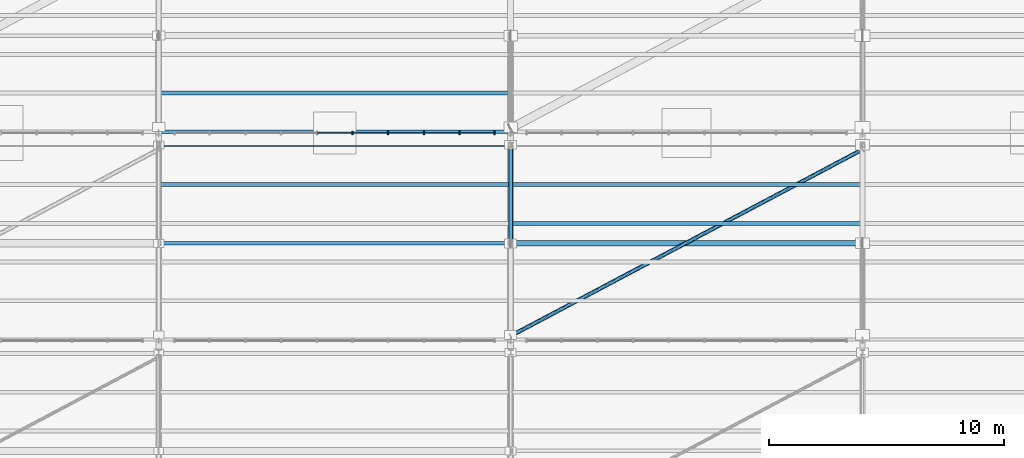
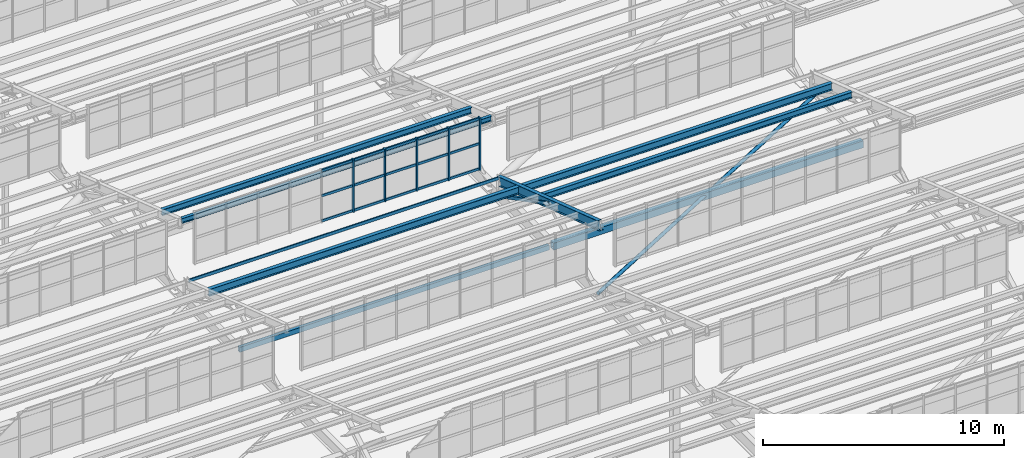
# One storey, part 102 of 285: 24 members, 7 beams, 1 element without a shape of its own.
"""IFC4 building model written with IfcOpenShell, lengths in metres."""

from ifc_helpers import new_model, si_unit, direction, frame, origin, origin_2d, place, context, subcontext, project, spatial, rectangle, hollow_rectangle, hollow_circle, i_section, extrude, material, material_profile, profile_set, type_object, element, aggregate, save


model = new_model("IFC4")

# Units and contexts
model_context = context("Model", 3, precision=1e-05, world=origin(), true_north=direction((0.0, 1.0)))
body_context = subcontext(model_context, "Body", "Model", "MODEL_VIEW")
ifc_project = project(units=[si_unit("LENGTHUNIT", "METRE"), si_unit("AREAUNIT", "SQUARE_METRE"), si_unit("VOLUMEUNIT", "CUBIC_METRE"), si_unit("PLANEANGLEUNIT", "RADIAN"), si_unit("MASSUNIT", "GRAM", prefix="KILO")], contexts=[model_context])

# Site, building, storey
site_placement = place(None, origin())
site = spatial("IfcSite", under=ifc_project, at=site_placement, CompositionType="ELEMENT")
building_placement = place(site_placement, origin())
building = spatial("IfcBuilding", under=site, at=building_placement, Name="Solanera Park Tramway Depot", CompositionType="ELEMENT")
storey_placement = place(building_placement, origin())
storey = spatial("IfcBuildingStorey", under=building, at=storey_placement, Name="L00", CompositionType="ELEMENT", Elevation=0.0)

# Curtain wall, members
ifc_material_1 = material(Name="Bronze-anodised thermally broken aluminium curtain wall", Category="aluminium")
curtain_wall_type = type_object("IfcCurtainWallType", Name="Sawtooth Clerestory Monitor Curtain Wall", PredefinedType="NOTDEFINED", material=ifc_material_1)
curtain_wall_placement = place(storey_placement, origin())
curtain_wall = element("IfcCurtainWall", 1, at=curtain_wall_placement, inside=storey, type_object=curtain_wall_type, Name="L00 Sawtooth Clerestory Monitor Curtain Wall #042", PredefinedType="NOTDEFINED")
ifc_material_2 = material(Name="Bronze-anodised structural aluminium 6063-T6", Category="aluminium")
ifc_material_profile_1 = material_profile(ifc_material_2, rectangle(XDim=0.06494140625, YDim=0.14990234375, at=origin_2d()), Name="Curtain Wall Mullion 65x150")
ifc_profile_set_1 = profile_set([ifc_material_profile_1], Name="Bronze-anodised structural aluminium 6063-T6")
member_type_1 = type_object("IfcMemberType", Name="Curtain Wall Mullion 65x150", PredefinedType="MULLION", material=ifc_profile_set_1)
member_1_placement = place(storey_placement, frame((113.260986328125, 100.0, 7.75), z_axis=(0.0, 0.0, 1.0), x_axis=(1.0, 0.0, 0.0)))
member_1 = element("IfcMember", 2, at=member_1_placement, type_object=member_type_1, Name="CW-L00-042 Mullion 6", PredefinedType="MULLION", context=body_context, shape_type="SweptSolid", body=[
    extrude(rectangle(XDim=0.06494140625, YDim=0.14990234375, at=origin_2d()), origin(), (0.0, 0.0, 1.0), 2.6611328125),
])
member_2_placement = place(storey_placement, frame((114.783203125, 100.0, 7.75), z_axis=(0.0, 0.0, 1.0), x_axis=(1.0, 0.0, 0.0)))
member_2 = element("IfcMember", 3, at=member_2_placement, type_object=member_type_1, Name="CW-L00-042 Mullion 7", PredefinedType="MULLION", context=body_context, shape_type="SweptSolid", body=[
    extrude(rectangle(XDim=0.06494140625, YDim=0.14990234375, at=origin_2d()), origin(), (0.0, 0.0, 1.0), 2.6611328125),
])
member_3_placement = place(storey_placement, frame((116.3056640625, 100.0, 7.75), z_axis=(0.0, 0.0, 1.0), x_axis=(1.0, 0.0, 0.0)))
member_3 = element("IfcMember", 4, at=member_3_placement, type_object=member_type_1, Name="CW-L00-042 Mullion 8", PredefinedType="MULLION", context=body_context, shape_type="SweptSolid", body=[
    extrude(rectangle(XDim=0.06494140625, YDim=0.14990234375, at=origin_2d()), origin(), (0.0, 0.0, 1.0), 2.6611328125),
])
member_4_placement = place(storey_placement, frame((117.827880859375, 100.0, 7.75), z_axis=(0.0, 0.0, 1.0), x_axis=(1.0, 0.0, 0.0)))
member_4 = element("IfcMember", 5, at=member_4_placement, type_object=member_type_1, Name="CW-L00-042 Mullion 9", PredefinedType="MULLION", context=body_context, shape_type="SweptSolid", body=[
    extrude(rectangle(XDim=0.06494140625, YDim=0.14990234375, at=origin_2d()), origin(), (0.0, 0.0, 1.0), 2.6611328125),
])
member_5_placement = place(storey_placement, frame((119.3173828125, 100.0, 7.75), z_axis=(0.0, 0.0, 1.0), x_axis=(1.0, 0.0, 0.0)))
member_5 = element("IfcMember", 6, at=member_5_placement, type_object=member_type_1, Name="CW-L00-042 Mullion 10", PredefinedType="MULLION", context=body_context, shape_type="SweptSolid", body=[
    extrude(rectangle(XDim=0.06494140625, YDim=0.14990234375, at=origin_2d()), origin(), (0.0, 0.0, 1.0), 2.6611328125),
])
ifc_material_3 = material(Name="Bronze-anodised structural aluminium 6063-T6", Category="aluminium")
ifc_material_profile_2 = material_profile(ifc_material_3, rectangle(XDim=0.06494140625, YDim=0.1201171875, at=origin_2d()), Name="Curtain Wall Transom 65x120")
ifc_profile_set_2 = profile_set([ifc_material_profile_2], Name="Bronze-anodised structural aluminium 6063-T6")
member_type_2 = type_object("IfcMemberType", Name="Curtain Wall Transom 65x120", PredefinedType="USERDEFINED", material=ifc_profile_set_2)
member_6_placement = place(storey_placement, frame((111.766845703125, 100.0, 7.81005859375), z_axis=(1.0, 0.0, 0.0), x_axis=(0.0, 1.0, 0.0)))
member_6 = element("IfcMember", 7, at=member_6_placement, type_object=member_type_2, Name="CW-L00-042 Transom R1.C5", ObjectType="TRANSOM", PredefinedType="USERDEFINED", context=body_context, shape_type="SweptSolid", body=[
    extrude(rectangle(XDim=0.06494140625, YDim=0.1201171875, at=origin_2d()), origin(), (0.0, 0.0, 1.0), 1.46630859375),
])
member_7_placement = place(storey_placement, frame((113.2890625, 100.0, 7.81005859375), z_axis=(1.0, 0.0, 0.0), x_axis=(0.0, 1.0, 0.0)))
member_7 = element("IfcMember", 8, at=member_7_placement, type_object=member_type_2, Name="CW-L00-042 Transom R1.C6", ObjectType="TRANSOM", PredefinedType="USERDEFINED", context=body_context, shape_type="SweptSolid", body=[
    extrude(rectangle(XDim=0.06494140625, YDim=0.1201171875, at=origin_2d()), origin(), (0.0, 0.0, 1.0), 1.46630859375),
])
member_8_placement = place(storey_placement, frame((114.811279296875, 100.0, 7.81005859375), z_axis=(1.0, 0.0, 0.0), x_axis=(0.0, 1.0, 0.0)))
member_8 = element("IfcMember", 9, at=member_8_placement, type_object=member_type_2, Name="CW-L00-042 Transom R1.C7", ObjectType="TRANSOM", PredefinedType="USERDEFINED", context=body_context, shape_type="SweptSolid", body=[
    extrude(rectangle(XDim=0.06494140625, YDim=0.1201171875, at=origin_2d()), origin(), (0.0, 0.0, 1.0), 1.46630859375),
])
member_9_placement = place(storey_placement, frame((116.33349609375, 100.0, 7.81005859375), z_axis=(1.0, 0.0, 0.0), x_axis=(0.0, 1.0, 0.0)))
member_9 = element("IfcMember", 10, at=member_9_placement, type_object=member_type_2, Name="CW-L00-042 Transom R1.C8", ObjectType="TRANSOM", PredefinedType="USERDEFINED", context=body_context, shape_type="SweptSolid", body=[
    extrude(rectangle(XDim=0.06494140625, YDim=0.1201171875, at=origin_2d()), origin(), (0.0, 0.0, 1.0), 1.46630859375),
])
member_10_placement = place(storey_placement, frame((117.855712890625, 100.0, 7.81005859375), z_axis=(1.0, 0.0, 0.0), x_axis=(0.0, 1.0, 0.0)))
member_10 = element("IfcMember", 11, at=member_10_placement, type_object=member_type_2, Name="CW-L00-042 Transom R1.C9", ObjectType="TRANSOM", PredefinedType="USERDEFINED", context=body_context, shape_type="SweptSolid", body=[
    extrude(rectangle(XDim=0.06494140625, YDim=0.1201171875, at=origin_2d()), origin(), (0.0, 0.0, 1.0), 1.433837890625),
])
member_11_placement = place(storey_placement, frame((111.766845703125, 100.0, 9.08056640625), z_axis=(1.0, 0.0, 0.0), x_axis=(0.0, 1.0, 0.0)))
member_11 = element("IfcMember", 12, at=member_11_placement, type_object=member_type_2, Name="CW-L00-042 Transom R2.C5", ObjectType="TRANSOM", PredefinedType="USERDEFINED", context=body_context, shape_type="SweptSolid", body=[
    extrude(rectangle(XDim=0.06494140625, YDim=0.1201171875, at=origin_2d()), origin(), (0.0, 0.0, 1.0), 1.46630859375),
])
member_12_placement = place(storey_placement, frame((113.2890625, 100.0, 9.08056640625), z_axis=(1.0, 0.0, 0.0), x_axis=(0.0, 1.0, 0.0)))
member_12 = element("IfcMember", 13, at=member_12_placement, type_object=member_type_2, Name="CW-L00-042 Transom R2.C6", ObjectType="TRANSOM", PredefinedType="USERDEFINED", context=body_context, shape_type="SweptSolid", body=[
    extrude(rectangle(XDim=0.06494140625, YDim=0.1201171875, at=origin_2d()), origin(), (0.0, 0.0, 1.0), 1.46630859375),
])
member_13_placement = place(storey_placement, frame((114.811279296875, 100.0, 9.08056640625), z_axis=(1.0, 0.0, 0.0), x_axis=(0.0, 1.0, 0.0)))
member_13 = element("IfcMember", 14, at=member_13_placement, type_object=member_type_2, Name="CW-L00-042 Transom R2.C7", ObjectType="TRANSOM", PredefinedType="USERDEFINED", context=body_context, shape_type="SweptSolid", body=[
    extrude(rectangle(XDim=0.06494140625, YDim=0.1201171875, at=origin_2d()), origin(), (0.0, 0.0, 1.0), 1.46630859375),
])
member_14_placement = place(storey_placement, frame((116.33349609375, 100.0, 9.08056640625), z_axis=(1.0, 0.0, 0.0), x_axis=(0.0, 1.0, 0.0)))
member_14 = element("IfcMember", 15, at=member_14_placement, type_object=member_type_2, Name="CW-L00-042 Transom R2.C8", ObjectType="TRANSOM", PredefinedType="USERDEFINED", context=body_context, shape_type="SweptSolid", body=[
    extrude(rectangle(XDim=0.06494140625, YDim=0.1201171875, at=origin_2d()), origin(), (0.0, 0.0, 1.0), 1.46630859375),
])
member_15_placement = place(storey_placement, frame((117.855712890625, 100.0, 9.08056640625), z_axis=(1.0, 0.0, 0.0), x_axis=(0.0, 1.0, 0.0)))
member_15 = element("IfcMember", 16, at=member_15_placement, type_object=member_type_2, Name="CW-L00-042 Transom R2.C9", ObjectType="TRANSOM", PredefinedType="USERDEFINED", context=body_context, shape_type="SweptSolid", body=[
    extrude(rectangle(XDim=0.06494140625, YDim=0.1201171875, at=origin_2d()), origin(), (0.0, 0.0, 1.0), 1.433837890625),
])
member_16_placement = place(storey_placement, frame((111.766845703125, 100.0, 10.351318359375), z_axis=(1.0, 0.0, 0.0), x_axis=(0.0, 1.0, 0.0)))
member_16 = element("IfcMember", 17, at=member_16_placement, type_object=member_type_2, Name="CW-L00-042 Transom R3.C5", ObjectType="TRANSOM", PredefinedType="USERDEFINED", context=body_context, shape_type="SweptSolid", body=[
    extrude(rectangle(XDim=0.06494140625, YDim=0.1201171875, at=origin_2d()), origin(), (0.0, 0.0, 1.0), 1.46630859375),
])
member_17_placement = place(storey_placement, frame((113.2890625, 100.0, 10.351318359375), z_axis=(1.0, 0.0, 0.0), x_axis=(0.0, 1.0, 0.0)))
member_17 = element("IfcMember", 18, at=member_17_placement, type_object=member_type_2, Name="CW-L00-042 Transom R3.C6", ObjectType="TRANSOM", PredefinedType="USERDEFINED", context=body_context, shape_type="SweptSolid", body=[
    extrude(rectangle(XDim=0.06494140625, YDim=0.1201171875, at=origin_2d()), origin(), (0.0, 0.0, 1.0), 1.46630859375),
])
member_18_placement = place(storey_placement, frame((114.811279296875, 100.0, 10.351318359375), z_axis=(1.0, 0.0, 0.0), x_axis=(0.0, 1.0, 0.0)))
member_18 = element("IfcMember", 19, at=member_18_placement, type_object=member_type_2, Name="CW-L00-042 Transom R3.C7", ObjectType="TRANSOM", PredefinedType="USERDEFINED", context=body_context, shape_type="SweptSolid", body=[
    extrude(rectangle(XDim=0.06494140625, YDim=0.1201171875, at=origin_2d()), origin(), (0.0, 0.0, 1.0), 1.46630859375),
])
member_19_placement = place(storey_placement, frame((116.33349609375, 100.0, 10.351318359375), z_axis=(1.0, 0.0, 0.0), x_axis=(0.0, 1.0, 0.0)))
member_19 = element("IfcMember", 20, at=member_19_placement, type_object=member_type_2, Name="CW-L00-042 Transom R3.C8", ObjectType="TRANSOM", PredefinedType="USERDEFINED", context=body_context, shape_type="SweptSolid", body=[
    extrude(rectangle(XDim=0.06494140625, YDim=0.1201171875, at=origin_2d()), origin(), (0.0, 0.0, 1.0), 1.46630859375),
])
member_20_placement = place(storey_placement, frame((117.855712890625, 100.0, 10.351318359375), z_axis=(1.0, 0.0, 0.0), x_axis=(0.0, 1.0, 0.0)))
member_20 = element("IfcMember", 21, at=member_20_placement, type_object=member_type_2, Name="CW-L00-042 Transom R3.C9", ObjectType="TRANSOM", PredefinedType="USERDEFINED", context=body_context, shape_type="SweptSolid", body=[
    extrude(rectangle(XDim=0.06494140625, YDim=0.1201171875, at=origin_2d()), origin(), (0.0, 0.0, 1.0), 1.433837890625),
])
aggregate(curtain_wall, [member_1, member_2, member_3, member_4, member_5, member_6, member_7, member_8, member_9, member_10, member_11, member_12, member_13, member_14, member_15, member_16, member_17, member_18, member_19, member_20])

# Members
ifc_material_4 = material(Name="Steel AS/NZS 1163 Grade C350L0", Category="steel")
ifc_material_profile_3 = material_profile(ifc_material_4, hollow_rectangle(XDim=0.14990234375, YDim=0.25, WallThickness=0.008056640625, at=origin_2d()), Name="250x150x8.0 RHS")
ifc_profile_set_3 = profile_set([ifc_material_profile_3], Name="Steel AS/NZS 1163 Grade C350L0")
member_type_3 = type_object("IfcMemberType", Name="Secondary Truss Chord 250x150x8.0 RHS", PredefinedType="CHORD", material=ifc_profile_set_3)
member_21_placement = place(storey_placement, frame((105.087890625, 95.300048828125, 6.5), z_axis=(1.0, 0.0, 0.0), x_axis=(0.0, 1.0, 0.0)))
element("IfcMember", 22, at=member_21_placement, inside=storey, type_object=member_type_3, Name="Sawtooth Longitudinal Tie Chord 250x150x8.0 RHS #0222", PredefinedType="CHORD", context=body_context, shape_type="SweptSolid", body=[
    extrude(hollow_rectangle(XDim=0.14990234375, YDim=0.25, WallThickness=0.008056640625, at=origin_2d()), origin(), (0.0, 0.0, 1.0), 14.82421875),
])
ifc_material_5 = material(Name="Steel AS/NZS 1163 Grade C350L0", Category="steel")
ifc_material_profile_4 = material_profile(ifc_material_5, hollow_rectangle(XDim=0.25, YDim=0.35009765625, WallThickness=0.010009765625, at=origin_2d()), Name="350x250x10.0 RHS")
ifc_profile_set_4 = profile_set([ifc_material_profile_4], Name="Steel AS/NZS 1163 Grade C350L0")
member_type_4 = type_object("IfcMemberType", Name="Secondary Truss Chord 350x250x10.0 RHS", PredefinedType="CHORD", material=ifc_profile_set_4)
member_22_placement = place(storey_placement, frame((120.087890625, 95.300048828125, 6.5), z_axis=(1.0, 0.0, 0.0), x_axis=(0.0, 1.0, 0.0)))
element("IfcMember", 23, at=member_22_placement, inside=storey, type_object=member_type_4, Name="Sawtooth Longitudinal Tie Chord 350x250x10.0 RHS #0223", PredefinedType="CHORD", context=body_context, shape_type="SweptSolid", body=[
    extrude(hollow_rectangle(XDim=0.25, YDim=0.35009765625, WallThickness=0.010009765625, at=origin_2d()), origin(), (0.0, 0.0, 1.0), 14.82421875),
])

# Beams
ifc_material_6 = material(Name="Steel AS/NZS 3679.1 Grade 350", Category="steel")
ifc_material_profile_5 = material_profile(ifc_material_6, i_section(OverallWidth=0.1904296875, OverallDepth=0.45751953125, WebThickness=0.009033203125, FlangeThickness=0.014404296875, at=origin_2d()), Name="460UB74.6")
ifc_profile_set_5 = profile_set([ifc_material_profile_5], Name="Steel AS/NZS 3679.1 Grade 350")
beam_type_1 = type_object("IfcBeamType", Name="Steel Beam 460UB74.6", PredefinedType="BEAM", material=ifc_profile_set_5)
beam_1_placement = place(storey_placement, frame((120.0, 91.14990234375, 10.05615234375), z_axis=(0.0, 0.948322229475, -0.317308917435), x_axis=(-1.0, 0.0, 0.0)))
element("IfcBeam", 24, at=beam_1_placement, inside=storey, type_object=beam_type_1, Name="Sawtooth ROOF TRUSS Top Rafter 460UB74.6 B05-T9", PredefinedType="BEAM", context=body_context, shape_type="SweptSolid", body=[
    extrude(i_section(OverallWidth=0.1904296875, OverallDepth=0.45751953125, WebThickness=0.009033203125, FlangeThickness=0.014404296875, at=origin_2d()), origin(), (0.0, 0.0, 1.0), 8.80517578125),
])
ifc_material_7 = material(Name="Steel AS/NZS 1163 Grade C350L0", Category="steel")
ifc_material_profile_6 = material_profile(ifc_material_7, hollow_rectangle(XDim=0.050048828125, YDim=0.14990234375, WallThickness=0.0048828125, at=origin_2d()), Name="150x50x5.0 RHS")
ifc_profile_set_6 = profile_set([ifc_material_profile_6], Name="Steel AS/NZS 1163 Grade C350L0")
beam_type_2 = type_object("IfcBeamType", Name="Steel Joist Purlin 150x50x5.0 RHS", PredefinedType="JOIST", material=ifc_profile_set_6)
beam_2_placement = place(storey_placement, frame((105.080810546875, 99.449951171875, 7.4462890625), z_axis=(1.0, 0.0, 0.0), x_axis=(0.0, 1.0, 0.0)))
element("IfcBeam", 25, at=beam_2_placement, inside=storey, type_object=beam_type_2, Name="Sawtooth Roof Purlin 150x50x5.0 RHS B05.6", PredefinedType="JOIST", context=body_context, shape_type="SweptSolid", body=[
    extrude(hollow_rectangle(XDim=0.050048828125, YDim=0.14990234375, WallThickness=0.0048828125, at=origin_2d()), origin(), (0.0, 0.0, 1.0), 14.83203125),
])
ifc_material_8 = material(Name="Steel AS/NZS 3679.1 Grade 350", Category="steel")
ifc_material_profile_7 = material_profile(ifc_material_8, i_section(OverallWidth=0.146484375, OverallDepth=0.256103515625, WebThickness=0.00634765625, FlangeThickness=0.010986328125, at=origin_2d()), Name="250UB37.3")
ifc_profile_set_7 = profile_set([ifc_material_profile_7], Name="Steel AS/NZS 3679.1 Grade 350")
beam_type_3 = type_object("IfcBeamType", Name="Steel Joist Purlin 250UB37.3", PredefinedType="JOIST", material=ifc_profile_set_7)
beam_3_placement = place(storey_placement, frame((105.087158203125, 100.050048828125, 10.137451171875), z_axis=(1.0, 0.0, 0.0), x_axis=(0.0, 1.0, 0.0)))
element("IfcBeam", 26, at=beam_3_placement, inside=storey, type_object=beam_type_3, Name="Sawtooth Roof Purlin 250UB37.3 B06.1", PredefinedType="JOIST", context=body_context, shape_type="SweptSolid", body=[
    extrude(i_section(OverallWidth=0.146484375, OverallDepth=0.256103515625, WebThickness=0.00634765625, FlangeThickness=0.010986328125, at=origin_2d()), origin(), (0.0, 0.0, 1.0), 14.816162109375),
])
ifc_material_9 = material(Name="Steel AS/NZS 3679.1 Grade 350", Category="steel")
ifc_material_profile_8 = material_profile(ifc_material_9, i_section(OverallWidth=0.1650390625, OverallDepth=0.3037109375, WebThickness=0.006103515625, FlangeThickness=0.01025390625, at=origin_2d()), Name="310UB40.4")
ifc_profile_set_8 = profile_set([ifc_material_profile_8], Name="Steel AS/NZS 3679.1 Grade 350")
beam_type_4 = type_object("IfcBeamType", Name="Steel Joist Purlin 310UB40.4", PredefinedType="JOIST", material=ifc_profile_set_8)
beam_4_placement = place(storey_placement, frame((105.087158203125, 101.699951171875, 9.55859375), z_axis=(1.0, 0.0, 0.0), x_axis=(0.0, 1.0, 0.0)))
element("IfcBeam", 27, at=beam_4_placement, inside=storey, type_object=beam_type_4, Name="Sawtooth Roof Purlin 310UB40.4 B06.2", PredefinedType="JOIST", context=body_context, shape_type="SweptSolid", body=[
    extrude(i_section(OverallWidth=0.1650390625, OverallDepth=0.3037109375, WebThickness=0.006103515625, FlangeThickness=0.01025390625, at=origin_2d()), origin(), (0.0, 0.0, 1.0), 14.816162109375),
])
ifc_material_10 = material(Name="Steel AS/NZS 3679.1 Grade 350", Category="steel")
ifc_material_profile_9 = material_profile(ifc_material_10, i_section(OverallWidth=0.166015625, OverallDepth=0.30712890625, WebThickness=0.006591796875, FlangeThickness=0.01171875, at=origin_2d()), Name="310UB46.2")
ifc_profile_set_9 = profile_set([ifc_material_profile_9], Name="Steel AS/NZS 3679.1 Grade 350")
beam_type_5 = type_object("IfcBeamType", Name="Steel Joist Purlin 310UB46.2", PredefinedType="JOIST", material=ifc_profile_set_9)
beam_5_placement = place(storey_placement, frame((120.087158203125, 96.14990234375, 8.452392578125), z_axis=(1.0, 0.0, 0.0), x_axis=(0.0, 1.0, 0.0)))
element("IfcBeam", 28, at=beam_5_placement, inside=storey, type_object=beam_type_5, Name="Sawtooth Roof Purlin 310UB46.2 B05.4", PredefinedType="JOIST", context=body_context, shape_type="SweptSolid", body=[
    extrude(i_section(OverallWidth=0.166015625, OverallDepth=0.30712890625, WebThickness=0.006591796875, FlangeThickness=0.01171875, at=origin_2d()), origin(), (0.0, 0.0, 1.0), 14.816162109375),
])
ifc_material_11 = material(Name="Steel AS/NZS 3679.1 Grade 350", Category="steel")
ifc_material_profile_10 = material_profile(ifc_material_11, i_section(OverallWidth=0.17138671875, OverallDepth=0.355712890625, WebThickness=0.00732421875, FlangeThickness=0.011474609375, at=origin_2d()), Name="360UB50.7")
ifc_profile_set_10 = profile_set([ifc_material_profile_10], Name="Steel AS/NZS 3679.1 Grade 350")
beam_type_6 = type_object("IfcBeamType", Name="Steel Joist Purlin 360UB50.7", PredefinedType="JOIST", material=ifc_profile_set_10)
beam_6_placement = place(storey_placement, frame((105.080810546875, 97.800048828125, 7.875244140625), z_axis=(1.0, 0.0, 0.0), x_axis=(0.0, 1.0, 0.0)))
element("IfcBeam", 29, at=beam_6_placement, inside=storey, type_object=beam_type_6, Name="Sawtooth Roof Purlin 360UB50.7 B05.5", PredefinedType="JOIST", context=body_context, shape_type="SweptSolid", body=[
    extrude(i_section(OverallWidth=0.17138671875, OverallDepth=0.355712890625, WebThickness=0.00732421875, FlangeThickness=0.011474609375, at=origin_2d()), origin(), (0.0, 0.0, 1.0), 14.83203125),
])
beam_7_placement = place(storey_placement, frame((120.087158203125, 97.800048828125, 7.875244140625), z_axis=(1.0, 0.0, 0.0), x_axis=(0.0, 1.0, 0.0)))
element("IfcBeam", 30, at=beam_7_placement, inside=storey, type_object=beam_type_6, Name="Sawtooth Roof Purlin 360UB50.7 B05.5", PredefinedType="JOIST", context=body_context, shape_type="SweptSolid", body=[
    extrude(i_section(OverallWidth=0.17138671875, OverallDepth=0.355712890625, WebThickness=0.00732421875, FlangeThickness=0.011474609375, at=origin_2d()), origin(), (0.0, 0.0, 1.0), 14.816162109375),
])

# Members
ifc_material_12 = material(Name="Steel AS/NZS 1163 Grade C350L0", Category="steel")
ifc_material_profile_11 = material_profile(ifc_material_12, hollow_rectangle(XDim=0.14990234375, YDim=0.14990234375, WallThickness=0.006103515625, at=origin_2d()), Name="150x150x6.0 SHS")
ifc_profile_set_11 = profile_set([ifc_material_profile_11], Name="Steel AS/NZS 1163 Grade C350L0")
member_type_5 = type_object("IfcMemberType", Name="Truss and Frame Brace 150x150x6.0 SHS", PredefinedType="BRACE", material=ifc_profile_set_11)
member_23_placement = place(storey_placement, frame((120.0, 99.5, 6.5), z_axis=(0.0, -0.888641030015, 0.458603445008), x_axis=(1.0, 0.0, 0.0)))
element("IfcMember", 31, at=member_23_placement, inside=storey, type_object=member_type_5, Name="Sawtooth ROOF TRUSS Diagonal 150x150x6.0 SHS #0204", PredefinedType="BRACE", context=body_context, shape_type="SweptSolid", body=[
    extrude(hollow_rectangle(XDim=0.14990234375, YDim=0.14990234375, WallThickness=0.006103515625, at=origin_2d()), origin(), (0.0, 0.0, 1.0), 4.726318359375),
])
ifc_material_13 = material(Name="Steel AS/NZS 1163 Grade C350L0", Category="steel")
ifc_material_profile_12 = material_profile(ifc_material_13, hollow_circle(Radius=0.084228515625, WallThickness=0.00634765625, at=origin_2d()), Name="168.3x6.4 CHS")
ifc_profile_set_12 = profile_set([ifc_material_profile_12], Name="Steel AS/NZS 1163 Grade C350L0")
member_type_6 = type_object("IfcMemberType", Name="Truss and Frame Brace 168.3x6.4 CHS", PredefinedType="BRACE", material=ifc_profile_set_12)
member_24_placement = place(storey_placement, frame((120.001953125, 91.35009765625, 6.5), z_axis=(0.883523615038, 0.468386615598, 0.0), x_axis=(-0.468386615598, 0.883523615038, 0.0)))
element("IfcMember", 32, at=member_24_placement, inside=storey, type_object=member_type_6, Name="Roof Plane Cyclonic Brace 168.3x6.4 CHS #0224", PredefinedType="BRACE", context=body_context, shape_type="SweptSolid", body=[
    extrude(hollow_circle(Radius=0.084228515625, WallThickness=0.00634765625, at=origin_2d()), origin(), (0.0, 0.0, 1.0), 16.97314453125),
])

save(model, "model.ifc")
